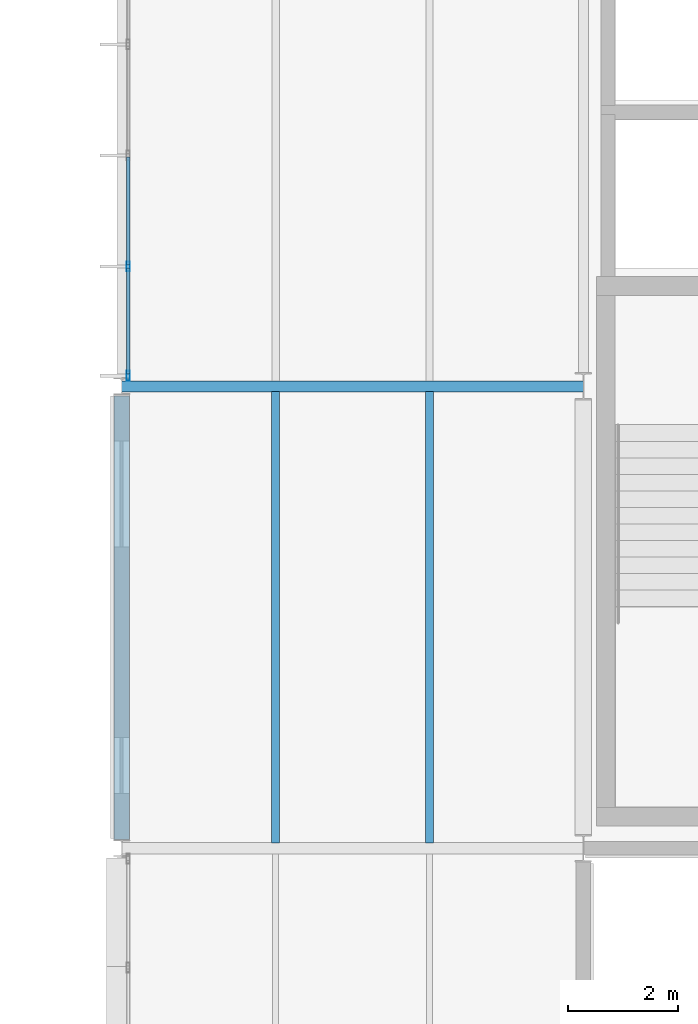
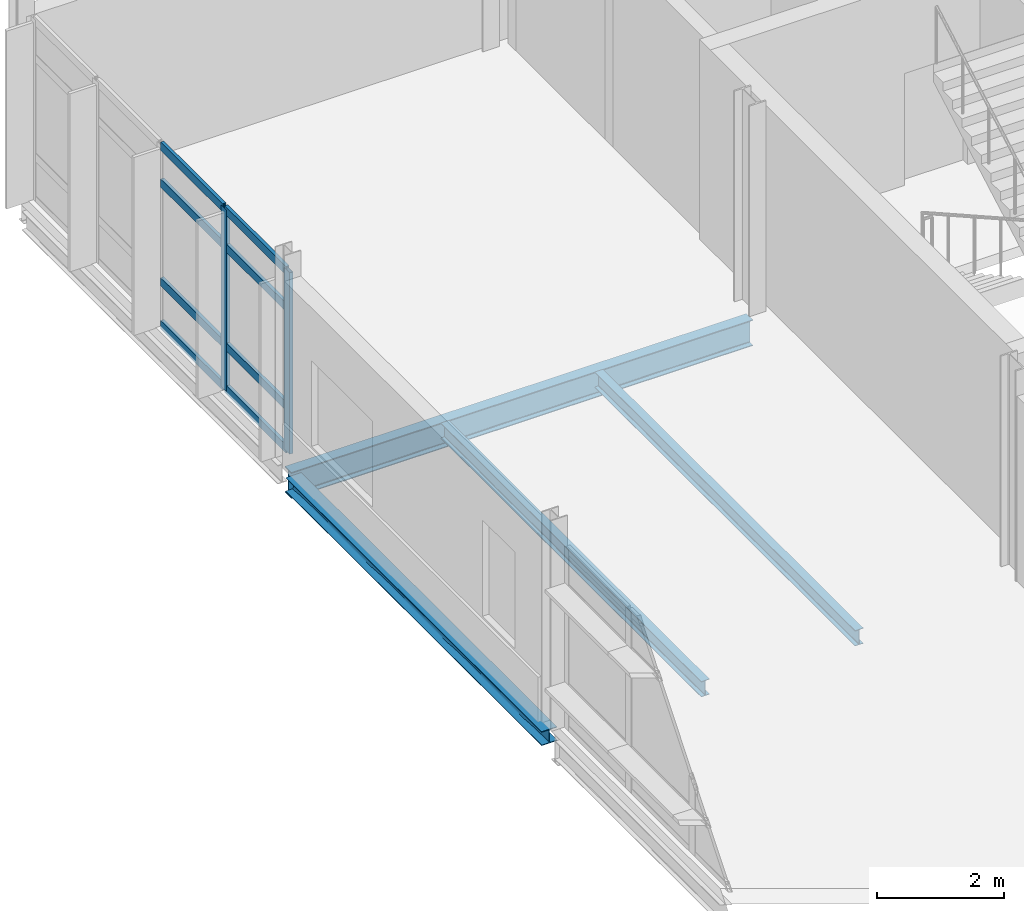
# One storey, part 49 of 151: 10 members, 4 beams, 1 element without a shape of its own.
"""IFC4 building model written with IfcOpenShell, lengths in metres."""

from ifc_helpers import new_model, si_unit, direction, frame, origin, origin_2d, place, context, subcontext, project, spatial, hollow_rectangle, i_section, extrude, material, material_profile, profile_set, type_object, element, aggregate, save


model = new_model("IFC4")

# Units and contexts
model_context = context("Model", 3, precision=1e-05, world=origin(), true_north=direction((0.0, 1.0)))
body_context = subcontext(model_context, "Body", "Model", "MODEL_VIEW")
ifc_project = project(units=[si_unit("LENGTHUNIT", "METRE"), si_unit("AREAUNIT", "SQUARE_METRE"), si_unit("VOLUMEUNIT", "CUBIC_METRE"), si_unit("PLANEANGLEUNIT", "RADIAN"), si_unit("MASSUNIT", "GRAM", prefix="KILO")], contexts=[model_context])

# Site, building, storey
site_placement = place(None, origin())
site = spatial("IfcSite", under=ifc_project, at=site_placement, CompositionType="ELEMENT")
building_placement = place(site_placement, origin())
building = spatial("IfcBuilding", under=site, at=building_placement, Name="Mersafa Astral City Hall", CompositionType="ELEMENT")
storey_placement = place(building_placement, frame((0.0, 0.0, 9.89990234375)))
storey = spatial("IfcBuildingStorey", under=building, at=storey_placement, Name="L02", CompositionType="ELEMENT", Elevation=9.89990234375)

# Curtain wall, members
ifc_material_1 = material(Name="Anodised bronze aluminium framing", Category="aluminium")
curtain_wall_type = type_object("IfcCurtainWallType", Name="ENV-CW-5", PredefinedType="USERDEFINED", material=ifc_material_1)
curtain_wall_placement = place(storey_placement, origin())
curtain_wall = element("IfcCurtainWall", 1, at=curtain_wall_placement, inside=storey, type_object=curtain_wall_type, Name="L02 Unitised solar curtain wall 130", ObjectType="UNITISED CURTAIN WALL", PredefinedType="USERDEFINED")
ifc_material_profile_1 = material_profile(ifc_material_1, hollow_rectangle(XDim=0.06005859375, YDim=0.179931640625, WallThickness=0.00390625, at=origin_2d()), Name="RHS 60x180x4")
ifc_profile_set_1 = profile_set([ifc_material_profile_1], Name="Anodised bronze aluminium framing")
member_type_1 = type_object("IfcMemberType", Name="ENV-CW-MUL-1", PredefinedType="MULLION", material=ifc_profile_set_1)
member_1_placement = place(storey_placement, frame((33.719970703125, 119.781005859375, -0.001953125), z_axis=(0.0, 0.0, 1.0), x_axis=(1.0, 0.0, 0.0)))
member_1 = element("IfcMember", 2, at=member_1_placement, type_object=member_type_1, Name="CW-5 mullion 4", PredefinedType="MULLION", context=body_context, shape_type="SweptSolid", body=[
    extrude(hollow_rectangle(XDim=0.06005859375, YDim=0.179931640625, WallThickness=0.00390625, at=origin_2d()), origin(), (0.0, 0.0, 1.0), 3.489013671875),
])
member_2_placement = place(storey_placement, frame((33.719970703125, 117.7919921875, -0.001953125), z_axis=(0.0, 0.0, 1.0), x_axis=(1.0, 0.0, 0.0)))
member_2 = element("IfcMember", 3, at=member_2_placement, type_object=member_type_1, Name="CW-5 mullion 5", PredefinedType="MULLION", context=body_context, shape_type="SweptSolid", body=[
    extrude(hollow_rectangle(XDim=0.06005859375, YDim=0.179931640625, WallThickness=0.00390625, at=origin_2d()), origin(), (0.0, 0.0, 1.0), 3.489013671875),
])
ifc_material_profile_2 = material_profile(ifc_material_1, hollow_rectangle(XDim=0.06005859375, YDim=0.159912109375, WallThickness=0.00390625, at=origin_2d()), Name="RHS 60x160x4")
ifc_profile_set_2 = profile_set([ifc_material_profile_2], Name="Anodised bronze aluminium framing")
member_type_2 = type_object("IfcMemberType", Name="ENV-CW-TRN-2", PredefinedType="USERDEFINED", material=ifc_profile_set_2)
member_3_placement = place(storey_placement, frame((33.719970703125, 121.77001953125, 0.028076171875), z_axis=(0.0, -1.0, 0.0), x_axis=(1.0, 0.0, 0.0)))
member_3 = element("IfcMember", 4, at=member_3_placement, type_object=member_type_2, Name="CW-5 transom 3.1", ObjectType="TRANSOM", PredefinedType="USERDEFINED", context=body_context, shape_type="SweptSolid", body=[
    extrude(hollow_rectangle(XDim=0.06005859375, YDim=0.159912109375, WallThickness=0.00390625, at=origin_2d()), origin(), (0.0, 0.0, 1.0), 1.958984375),
])
member_4_placement = place(storey_placement, frame((33.719970703125, 121.77001953125, 0.85009765625), z_axis=(0.0, -1.0, 0.0), x_axis=(1.0, 0.0, 0.0)))
member_4 = element("IfcMember", 5, at=member_4_placement, type_object=member_type_2, Name="CW-5 transom 3.2", ObjectType="TRANSOM", PredefinedType="USERDEFINED", context=body_context, shape_type="SweptSolid", body=[
    extrude(hollow_rectangle(XDim=0.06005859375, YDim=0.159912109375, WallThickness=0.00390625, at=origin_2d()), origin(), (0.0, 0.0, 1.0), 1.958984375),
])
member_5_placement = place(storey_placement, frame((33.719970703125, 121.77001953125, 2.75), z_axis=(0.0, -1.0, 0.0), x_axis=(1.0, 0.0, 0.0)))
member_5 = element("IfcMember", 6, at=member_5_placement, type_object=member_type_2, Name="CW-5 transom 3.3", ObjectType="TRANSOM", PredefinedType="USERDEFINED", context=body_context, shape_type="SweptSolid", body=[
    extrude(hollow_rectangle(XDim=0.06005859375, YDim=0.159912109375, WallThickness=0.00390625, at=origin_2d()), origin(), (0.0, 0.0, 1.0), 1.958984375),
])
member_6_placement = place(storey_placement, frame((33.719970703125, 121.77001953125, 3.45703125), z_axis=(0.0, -1.0, 0.0), x_axis=(1.0, 0.0, 0.0)))
member_6 = element("IfcMember", 7, at=member_6_placement, type_object=member_type_2, Name="CW-5 transom 3.4", ObjectType="TRANSOM", PredefinedType="USERDEFINED", context=body_context, shape_type="SweptSolid", body=[
    extrude(hollow_rectangle(XDim=0.06005859375, YDim=0.159912109375, WallThickness=0.00390625, at=origin_2d()), origin(), (0.0, 0.0, 1.0), 1.958984375),
])
member_7_placement = place(storey_placement, frame((33.719970703125, 119.7509765625, 0.028076171875), z_axis=(0.0, -1.0, 0.0), x_axis=(1.0, 0.0, 0.0)))
member_7 = element("IfcMember", 8, at=member_7_placement, type_object=member_type_2, Name="CW-5 transom 4.1", ObjectType="TRANSOM", PredefinedType="USERDEFINED", context=body_context, shape_type="SweptSolid", body=[
    extrude(hollow_rectangle(XDim=0.06005859375, YDim=0.159912109375, WallThickness=0.00390625, at=origin_2d()), origin(), (0.0, 0.0, 1.0), 1.928955078125),
])
member_8_placement = place(storey_placement, frame((33.719970703125, 119.7509765625, 0.85009765625), z_axis=(0.0, -1.0, 0.0), x_axis=(1.0, 0.0, 0.0)))
member_8 = element("IfcMember", 9, at=member_8_placement, type_object=member_type_2, Name="CW-5 transom 4.2", ObjectType="TRANSOM", PredefinedType="USERDEFINED", context=body_context, shape_type="SweptSolid", body=[
    extrude(hollow_rectangle(XDim=0.06005859375, YDim=0.159912109375, WallThickness=0.00390625, at=origin_2d()), origin(), (0.0, 0.0, 1.0), 1.928955078125),
])
member_9_placement = place(storey_placement, frame((33.719970703125, 119.7509765625, 2.75), z_axis=(0.0, -1.0, 0.0), x_axis=(1.0, 0.0, 0.0)))
member_9 = element("IfcMember", 10, at=member_9_placement, type_object=member_type_2, Name="CW-5 transom 4.3", ObjectType="TRANSOM", PredefinedType="USERDEFINED", context=body_context, shape_type="SweptSolid", body=[
    extrude(hollow_rectangle(XDim=0.06005859375, YDim=0.159912109375, WallThickness=0.00390625, at=origin_2d()), origin(), (0.0, 0.0, 1.0), 1.928955078125),
])
member_10_placement = place(storey_placement, frame((33.719970703125, 119.7509765625, 3.45703125), z_axis=(0.0, -1.0, 0.0), x_axis=(1.0, 0.0, 0.0)))
member_10 = element("IfcMember", 11, at=member_10_placement, type_object=member_type_2, Name="CW-5 transom 4.4", ObjectType="TRANSOM", PredefinedType="USERDEFINED", context=body_context, shape_type="SweptSolid", body=[
    extrude(hollow_rectangle(XDim=0.06005859375, YDim=0.159912109375, WallThickness=0.00390625, at=origin_2d()), origin(), (0.0, 0.0, 1.0), 1.928955078125),
])
aggregate(curtain_wall, [member_1, member_2, member_3, member_4, member_5, member_6, member_7, member_8, member_9, member_10])

# Beams
ifc_material_2 = material(Name="Steel S355", Category="steel")
ifc_material_profile_3 = material_profile(ifc_material_2, i_section(OverallWidth=0.199951171875, OverallDepth=0.5, WebThickness=0.01025390625, FlangeThickness=0.01611328125, FilletRadius=0.02099609375, at=origin_2d()), Name="IPE 500")
ifc_profile_set_3 = profile_set([ifc_material_profile_3], Name="Steel S355")
beam_type_1 = type_object("IfcBeamType", Name="STR-BM-IPE500", PredefinedType="BEAM", material=ifc_profile_set_3)
beam_1_placement = place(storey_placement, frame((33.60302734375, 117.60009765625, -0.449951171875), z_axis=(1.0, 0.0, 0.0), x_axis=(0.0, 1.0, 0.0)))
element("IfcBeam", 12, at=beam_1_placement, inside=storey, type_object=beam_type_1, Name="L02 Primary girder X 4-14", PredefinedType="BEAM", context=body_context, shape_type="SweptSolid", body=[
    extrude(i_section(OverallWidth=0.199951171875, OverallDepth=0.5, WebThickness=0.01025390625, FlangeThickness=0.01611328125, FilletRadius=0.02099609375, at=origin_2d()), origin(), (0.0, 0.0, 1.0), 8.39404296875),
])
ifc_material_profile_4 = material_profile(ifc_material_2, i_section(OverallWidth=0.14990234375, OverallDepth=0.300048828125, WebThickness=0.007080078125, FlangeThickness=0.0107421875, FilletRadius=0.014892578125, at=origin_2d()), Name="IPE 300")
ifc_profile_set_4 = profile_set([ifc_material_profile_4], Name="Steel S355")
beam_type_2 = type_object("IfcBeamType", Name="STR-BM-JOIST-IPE300", PredefinedType="JOIST", material=ifc_profile_set_4)
for number, where, z_axis, x_axis, name in (
    (13, (36.39990234375, 109.300048828125, -0.349853515625), (0.0, 1.0, 0.0), (-1.0, 0.0, 0.0), "L02 Composite secondary floor joist 418"),
    (14, (39.199951171875, 109.300048828125, -0.349853515625), (0.0, 1.0, 0.0), (-1.0, 0.0, 0.0), "L02 Composite secondary floor joist 419"),
):
    element("IfcBeam", number, at=place(storey_placement, frame(where, z_axis=z_axis, x_axis=x_axis)), inside=storey, type_object=beam_type_2, Name=name, PredefinedType="JOIST", context=body_context, shape_type="SweptSolid", body=[
        extrude(i_section(OverallWidth=0.14990234375, OverallDepth=0.300048828125, WebThickness=0.007080078125, FlangeThickness=0.0107421875, FilletRadius=0.014892578125, at=origin_2d()), origin(), (0.0, 0.0, 1.0), 8.204833984375),
    ])
ifc_material_profile_5 = material_profile(ifc_material_2, i_section(OverallWidth=0.280029296875, OverallDepth=0.27001953125, WebThickness=0.008056640625, FlangeThickness=0.012939453125, FilletRadius=0.02392578125, at=origin_2d()), Name="HEA 280")
ifc_profile_set_5 = profile_set([ifc_material_profile_5], Name="Steel S355")
beam_type_3 = type_object("IfcBeamType", Name="STR-BM-SPANDREL-HEA280", PredefinedType="SPANDREL", material=ifc_profile_set_5)
beam_2_placement = place(storey_placement, frame((33.60009765625, 109.364990234375, -0.3349609375), z_axis=(0.0, 1.0, 0.0), x_axis=(-1.0, 0.0, 0.0)))
element("IfcBeam", 15, at=beam_2_placement, inside=storey, type_object=beam_type_3, Name="L02 Primary girder Y 4-13", PredefinedType="SPANDREL", context=body_context, shape_type="SweptSolid", body=[
    extrude(i_section(OverallWidth=0.280029296875, OverallDepth=0.27001953125, WebThickness=0.008056640625, FlangeThickness=0.012939453125, FilletRadius=0.02392578125, at=origin_2d()), origin(), (0.0, 0.0, 1.0), 8.06005859375),
])

save(model, "model.ifc")
